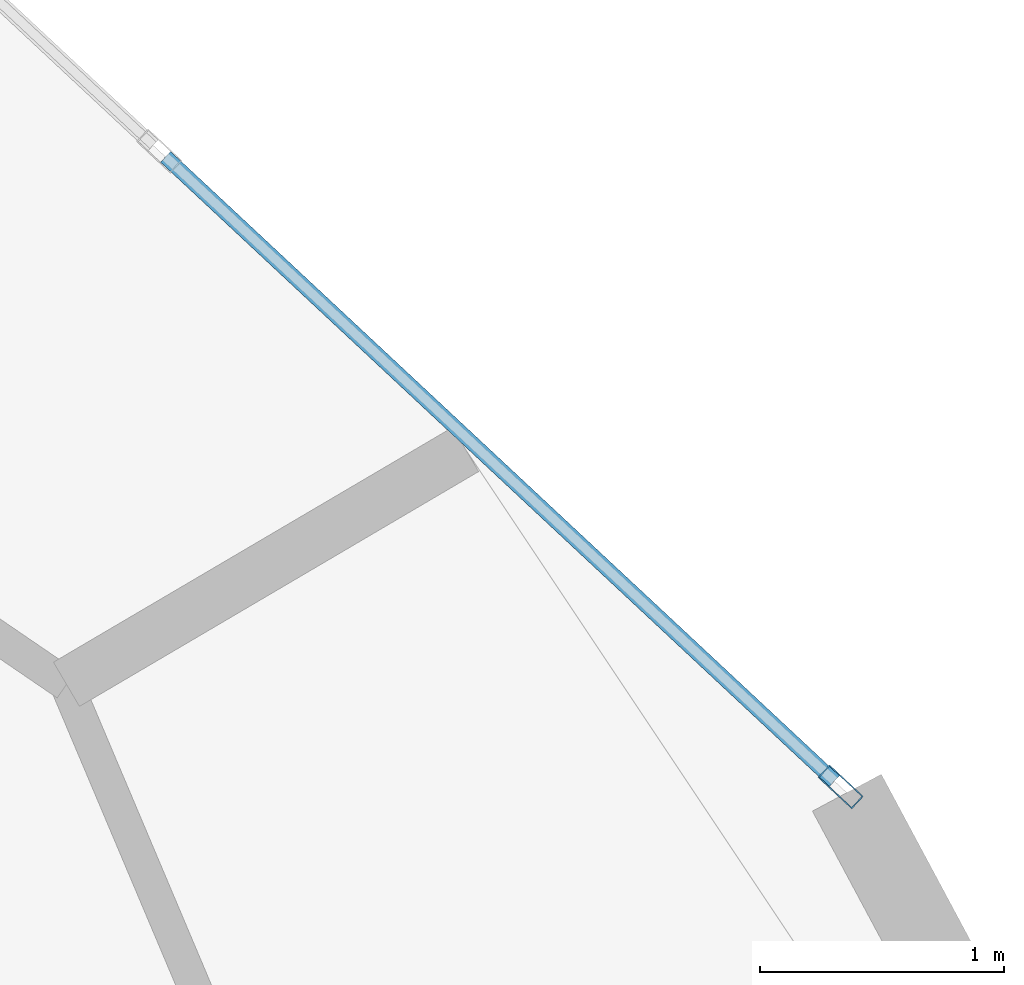
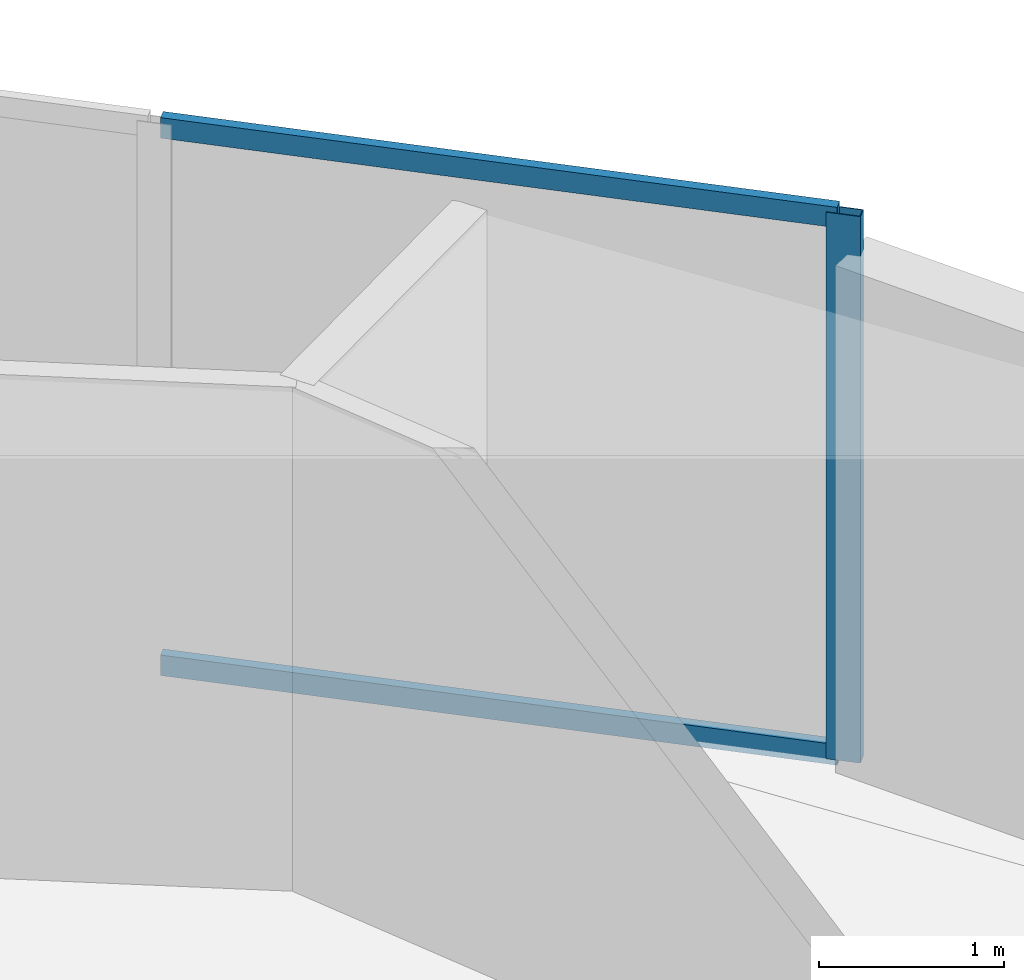
# One storey, part 18 of 26: 3 members, 1 element without a shape of its own.
"""IFC4 building model written with IfcOpenShell, lengths in metres."""

from ifc_helpers import new_model, si_unit, direction, frame, origin, origin_2d, place, context, subcontext, project, spatial, hollow_rectangle, extrude, source, transform, mapped, material, layer, layer_set, material_profile, profile_set, type_object, element, aggregate, save


model = new_model("IFC4")

# Units and contexts
model_context = context("Model", 3, precision=1e-05, world=origin(), true_north=direction((0.0, 1.0)))
body_context = subcontext(model_context, "Body", "Model", "MODEL_VIEW")
ifc_project = project(units=[si_unit("LENGTHUNIT", "METRE"), si_unit("AREAUNIT", "SQUARE_METRE"), si_unit("VOLUMEUNIT", "CUBIC_METRE"), si_unit("PLANEANGLEUNIT", "RADIAN"), si_unit("MASSUNIT", "GRAM", prefix="KILO")], contexts=[model_context])

# Site, building, storey
site_placement = place(None, origin())
site = spatial("IfcSite", under=ifc_project, at=site_placement, CompositionType="ELEMENT")
building_placement = place(site_placement, origin())
building = spatial("IfcBuilding", under=site, at=building_placement, Name="Solvirekh Grand Hotel", CompositionType="ELEMENT")
storey_placement = place(building_placement, frame((0.0, 0.0, 32.0)))
storey = spatial("IfcBuildingStorey", under=building, at=storey_placement, Name="L06", CompositionType="ELEMENT", Elevation=32.0)

# Curtain wall, members
ifc_material = material(Name="Anodized Bronze Aluminium 6063-T6", Category="aluminium")
ifc_layer = layer(ifc_material, 0.18994140625)
ifc_layer_set = layer_set([ifc_layer], Name="Anodized Bronze Aluminium 6063-T6")
curtain_wall_type = type_object("IfcCurtainWallType", Name="CW_Sys2_LowZoneFlushBronzeCW", PredefinedType="NOTDEFINED", material=ifc_layer_set)
curtain_wall_placement = place(storey_placement, origin())
curtain_wall = element("IfcCurtainWall", 1, at=curtain_wall_placement, inside=storey, type_object=curtain_wall_type, Name="L06 unitised bronze-glass curtain wall CW-L06-C03", PredefinedType="NOTDEFINED")
ifc_material_profile_1 = material_profile(ifc_material, hollow_rectangle(XDim=0.070068359375, YDim=0.18994140625, WallThickness=0.0048828125, at=origin_2d()), Name="ALU RHS 190X70X5")
ifc_profile_set_1 = profile_set([ifc_material_profile_1], Name="Anodized Bronze Aluminium 6063-T6")
member_type_1 = type_object("IfcMemberType", Name="CWMullion_Sys2", PredefinedType="MULLION", material=ifc_profile_set_1)
shared_shape_1 = source(origin(), body_context, "Body", "SweptSolid", [
    extrude(hollow_rectangle(XDim=0.070068359375, YDim=0.18994140625, WallThickness=0.0048828125, at=origin_2d()), origin(), (0.0, 0.0, 1.0), 3.60009765625),
])
member_1_placement = place(storey_placement, frame((23.784423828125, 11.462890625, 0.0), z_axis=(0.0, 0.0, 1.0), x_axis=(-0.682285880223, -0.73108547903, 0.0)))
member_1 = element("IfcMember", 2, at=member_1_placement, type_object=member_type_1, Name="U02 mullion 1", PredefinedType="MULLION", context=body_context, shape_type="MappedRepresentation", body=[
    mapped(shared_shape_1, transform((0.0, 0.0, 0.0), x_axis=(1.0, 0.0, 0.0), y_axis=(0.0, 1.0, 0.0), z_axis=(0.0, 0.0, 1.0), scale=1.0)),
])
ifc_material_profile_2 = material_profile(ifc_material, hollow_rectangle(XDim=0.06005859375, YDim=0.135009765625, WallThickness=0.00390625, at=origin_2d()), Name="ALU RHS 135X60X4")
ifc_profile_set_2 = profile_set([ifc_material_profile_2], Name="Anodized Bronze Aluminium 6063-T6")
member_type_2 = type_object("IfcMemberType", Name="CWTransom_Sys2", PredefinedType="USERDEFINED", material=ifc_profile_set_2)
shared_shape_2 = source(origin(), body_context, "Body", "SweptSolid", [
    extrude(hollow_rectangle(XDim=0.06005859375, YDim=0.135009765625, WallThickness=0.00390625, at=origin_2d()), origin(), (0.0, 0.0, 1.0), 3.74755859375),
])
member_2_placement = place(storey_placement, frame((23.7587890625, 11.48681640625, 0.030029296875), z_axis=(-0.731083431078, 0.682288074646, 0.0), x_axis=(-0.682288074646, -0.731083431078, 0.0)))
member_2 = element("IfcMember", 3, at=member_2_placement, type_object=member_type_2, Name="U02 transom 1.1", ObjectType="TRANSOM", PredefinedType="USERDEFINED", context=body_context, shape_type="MappedRepresentation", body=[
    mapped(shared_shape_2, transform((0.0, 0.0, 0.0), x_axis=(1.0, 0.0, 0.0), y_axis=(0.0, 1.0, 0.0), z_axis=(0.0, 0.0, 1.0), scale=1.0)),
])
member_3_placement = place(storey_placement, frame((23.7587890625, 11.48681640625, 3.570068359375), z_axis=(-0.731083431078, 0.682288074646, 0.0), x_axis=(-0.682288074646, -0.731083431078, 0.0)))
member_3 = element("IfcMember", 4, at=member_3_placement, type_object=member_type_2, Name="U02 transom 1.2", ObjectType="TRANSOM", PredefinedType="USERDEFINED", context=body_context, shape_type="MappedRepresentation", body=[
    mapped(shared_shape_2, transform((0.0, 0.0, 0.0), x_axis=(1.0, 0.0, 0.0), y_axis=(0.0, 1.0, 0.0), z_axis=(0.0, 0.0, 1.0), scale=1.0)),
])
aggregate(curtain_wall, [member_1, member_2, member_3])

save(model, "model.ifc")
